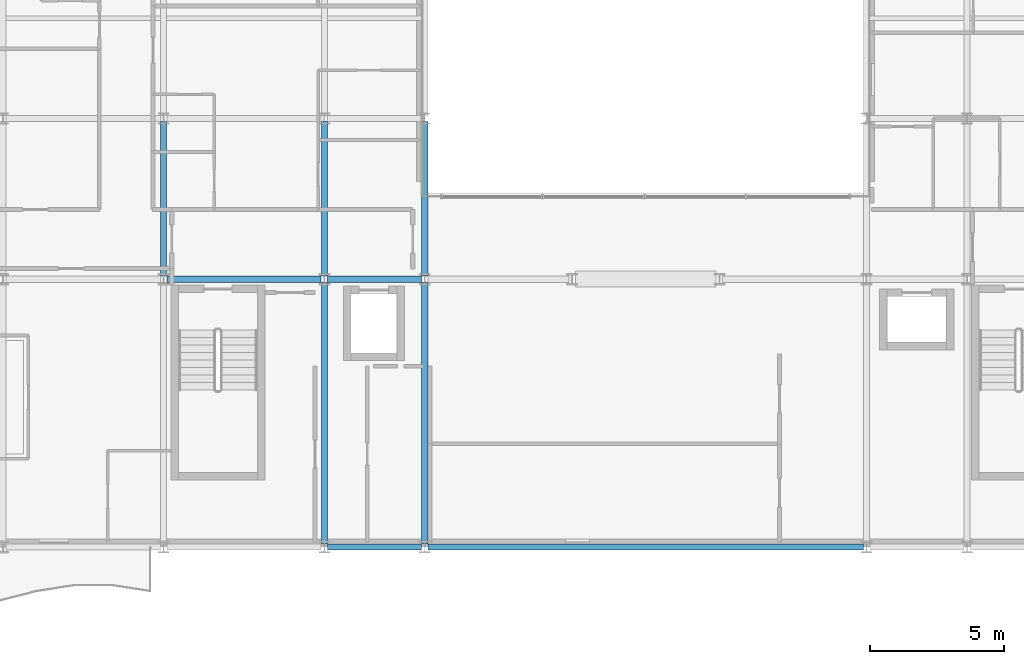
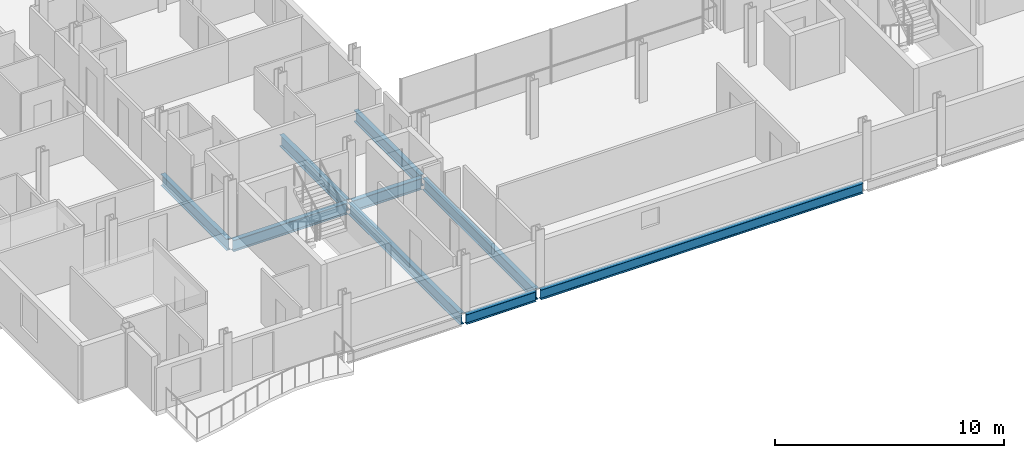
# One storey, part 3 of 41: 9 beams.
"""IFC4 building model written with IfcOpenShell, lengths in metres."""

from ifc_helpers import new_model, si_unit, direction, frame, origin, origin_2d, place, context, subcontext, project, spatial, i_section, extrude, material, material_profile, profile_set, type_object, element, save


model = new_model("IFC4")

# Units and contexts
model_context = context("Model", 3, precision=1e-05, world=origin(), true_north=direction((0.0, 1.0)))
body_context = subcontext(model_context, "Body", "Model", "MODEL_VIEW")
ifc_project = project(units=[si_unit("LENGTHUNIT", "METRE"), si_unit("AREAUNIT", "SQUARE_METRE"), si_unit("VOLUMEUNIT", "CUBIC_METRE"), si_unit("PLANEANGLEUNIT", "RADIAN"), si_unit("MASSUNIT", "GRAM", prefix="KILO")], contexts=[model_context])

# Site, building, storey
site_placement = place(None, origin())
site = spatial("IfcSite", under=ifc_project, at=site_placement, CompositionType="ELEMENT")
building_placement = place(site_placement, origin())
building = spatial("IfcBuilding", under=site, at=building_placement, Name="Brevholm Reach", CompositionType="ELEMENT")
storey_placement = place(building_placement, frame((0.0, 0.0, 100.39990234375)))
storey = spatial("IfcBuildingStorey", under=building, at=storey_placement, Name="L29", CompositionType="ELEMENT", Elevation=100.39990234375)

# Beams
ifc_material_1 = material(Name="Structural Steel S355J2", Category="steel")
ifc_material_profile_1 = material_profile(ifc_material_1, i_section(OverallWidth=0.209228515625, OverallDepth=0.533203125, WebThickness=0.010009765625, FlangeThickness=0.015625, FilletRadius=0.0126953125, at=origin_2d()), Name="UKB 533x210x92")
ifc_profile_set_1 = profile_set([ifc_material_profile_1], Name="Structural Steel S355J2")
beam_type_1 = type_object("IfcBeamType", Name="BM-SP533", PredefinedType="SPANDREL", material=ifc_profile_set_1)
beam_1_placement = place(storey_placement, frame((18.1201171875, 0.0, -0.486572265625), z_axis=(1.0, 0.0, 0.0), x_axis=(0.0, 1.0, 0.0)))
element("IfcBeam", 1, at=beam_1_placement, inside=storey, type_object=beam_type_1, Name="L29 SP-02 Framing Beam", PredefinedType="SPANDREL", context=body_context, shape_type="SweptSolid", body=[
    extrude(i_section(OverallWidth=0.209228515625, OverallDepth=0.533203125, WebThickness=0.010009765625, FlangeThickness=0.015625, FilletRadius=0.0126953125, at=origin_2d()), origin(), (0.0, 0.0, 1.0), 3.509765625),
])
beam_2_placement = place(storey_placement, frame((21.8701171875, 0.0, -0.486572265625), z_axis=(1.0, 0.0, 0.0), x_axis=(0.0, 1.0, 0.0)))
element("IfcBeam", 2, at=beam_2_placement, inside=storey, type_object=beam_type_1, Name="L29 SP-02 Framing Beam", PredefinedType="SPANDREL", context=body_context, shape_type="SweptSolid", body=[
    extrude(i_section(OverallWidth=0.209228515625, OverallDepth=0.533203125, WebThickness=0.010009765625, FlangeThickness=0.015625, FilletRadius=0.0126953125, at=origin_2d()), origin(), (0.0, 0.0, 1.0), 16.259765625),
])
ifc_material_2 = material(Name="Structural Steel S355J2", Category="steel")
ifc_material_profile_2 = material_profile(ifc_material_2, i_section(OverallWidth=0.22900390625, OverallDepth=0.6123046875, WebThickness=0.011962890625, FlangeThickness=0.01953125, FilletRadius=0.0126953125, at=origin_2d()), Name="UKB 610x229x125")
ifc_profile_set_2 = profile_set([ifc_material_profile_2], Name="Structural Steel S355J2")
beam_type_2 = type_object("IfcBeamType", Name="BM-SP610", PredefinedType="SPANDREL", material=ifc_profile_set_2)
beam_3_placement = place(storey_placement, frame((12.1201171875, 10.0, -0.526123046875), z_axis=(1.0, 0.0, 0.0), x_axis=(0.0, 1.0, 0.0)))
element("IfcBeam", 3, at=beam_3_placement, inside=storey, type_object=beam_type_2, Name="L29 SP-01 Framing Beam", PredefinedType="SPANDREL", context=body_context, shape_type="SweptSolid", body=[
    extrude(i_section(OverallWidth=0.22900390625, OverallDepth=0.6123046875, WebThickness=0.011962890625, FlangeThickness=0.01953125, FilletRadius=0.0126953125, at=origin_2d()), origin(), (0.0, 0.0, 1.0), 5.759765625),
])
beam_4_placement = place(storey_placement, frame((18.1201171875, 10.0, -0.526123046875), z_axis=(1.0, 0.0, 0.0), x_axis=(0.0, 1.0, 0.0)))
element("IfcBeam", 4, at=beam_4_placement, inside=storey, type_object=beam_type_2, Name="L29 SP-01 Framing Beam", PredefinedType="SPANDREL", context=body_context, shape_type="SweptSolid", body=[
    extrude(i_section(OverallWidth=0.22900390625, OverallDepth=0.6123046875, WebThickness=0.011962890625, FlangeThickness=0.01953125, FilletRadius=0.0126953125, at=origin_2d()), origin(), (0.0, 0.0, 1.0), 3.509765625),
])
beam_5_placement = place(storey_placement, frame((12.0, 10.1201171875, -0.526123046875), z_axis=(0.0, 1.0, 0.0), x_axis=(-1.0, 0.0, 0.0)))
element("IfcBeam", 5, at=beam_5_placement, inside=storey, type_object=beam_type_2, Name="L29 SP-01 Framing Beam", PredefinedType="SPANDREL", context=body_context, shape_type="SweptSolid", body=[
    extrude(i_section(OverallWidth=0.22900390625, OverallDepth=0.6123046875, WebThickness=0.011962890625, FlangeThickness=0.01953125, FilletRadius=0.0126953125, at=origin_2d()), origin(), (0.0, 0.0, 1.0), 5.759765625),
])
beam_6_placement = place(storey_placement, frame((18.0, 0.1201171875, -0.526123046875), z_axis=(0.0, 1.0, 0.0), x_axis=(-1.0, 0.0, 0.0)))
element("IfcBeam", 6, at=beam_6_placement, inside=storey, type_object=beam_type_2, Name="L29 SP-01 Framing Beam", PredefinedType="SPANDREL", context=body_context, shape_type="SweptSolid", body=[
    extrude(i_section(OverallWidth=0.22900390625, OverallDepth=0.6123046875, WebThickness=0.011962890625, FlangeThickness=0.01953125, FilletRadius=0.0126953125, at=origin_2d()), origin(), (0.0, 0.0, 1.0), 9.759765625),
])
beam_7_placement = place(storey_placement, frame((18.0, 10.1201171875, -0.526123046875), z_axis=(0.0, 1.0, 0.0), x_axis=(-1.0, 0.0, 0.0)))
element("IfcBeam", 7, at=beam_7_placement, inside=storey, type_object=beam_type_2, Name="L29 SP-01 Framing Beam", PredefinedType="SPANDREL", context=body_context, shape_type="SweptSolid", body=[
    extrude(i_section(OverallWidth=0.22900390625, OverallDepth=0.6123046875, WebThickness=0.011962890625, FlangeThickness=0.01953125, FilletRadius=0.0126953125, at=origin_2d()), origin(), (0.0, 0.0, 1.0), 5.759765625),
])
beam_8_placement = place(storey_placement, frame((21.75, 0.1201171875, -0.526123046875), z_axis=(0.0, 1.0, 0.0), x_axis=(-1.0, 0.0, 0.0)))
element("IfcBeam", 8, at=beam_8_placement, inside=storey, type_object=beam_type_2, Name="L29 SP-01 Framing Beam", PredefinedType="SPANDREL", context=body_context, shape_type="SweptSolid", body=[
    extrude(i_section(OverallWidth=0.22900390625, OverallDepth=0.6123046875, WebThickness=0.011962890625, FlangeThickness=0.01953125, FilletRadius=0.0126953125, at=origin_2d()), origin(), (0.0, 0.0, 1.0), 9.759765625),
])
beam_9_placement = place(storey_placement, frame((21.75, 10.1201171875, -0.526123046875), z_axis=(0.0, 1.0, 0.0), x_axis=(-1.0, 0.0, 0.0)))
element("IfcBeam", 9, at=beam_9_placement, inside=storey, type_object=beam_type_2, Name="L29 SP-01 Framing Beam", PredefinedType="SPANDREL", context=body_context, shape_type="SweptSolid", body=[
    extrude(i_section(OverallWidth=0.22900390625, OverallDepth=0.6123046875, WebThickness=0.011962890625, FlangeThickness=0.01953125, FilletRadius=0.0126953125, at=origin_2d()), origin(), (0.0, 0.0, 1.0), 5.759765625),
])

save(model, "model.ifc")
